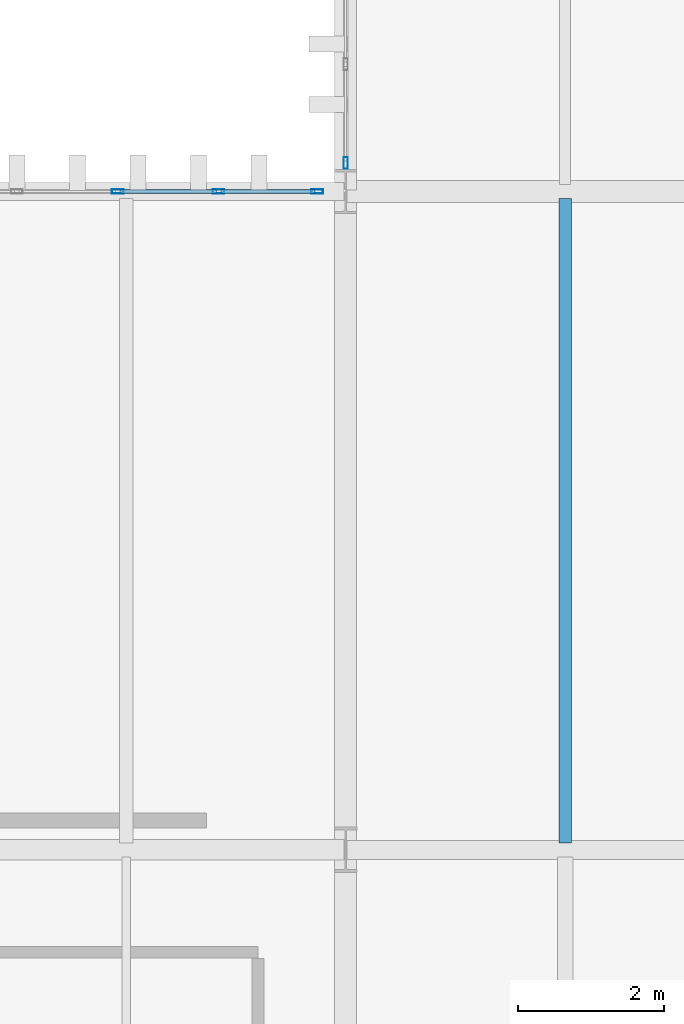
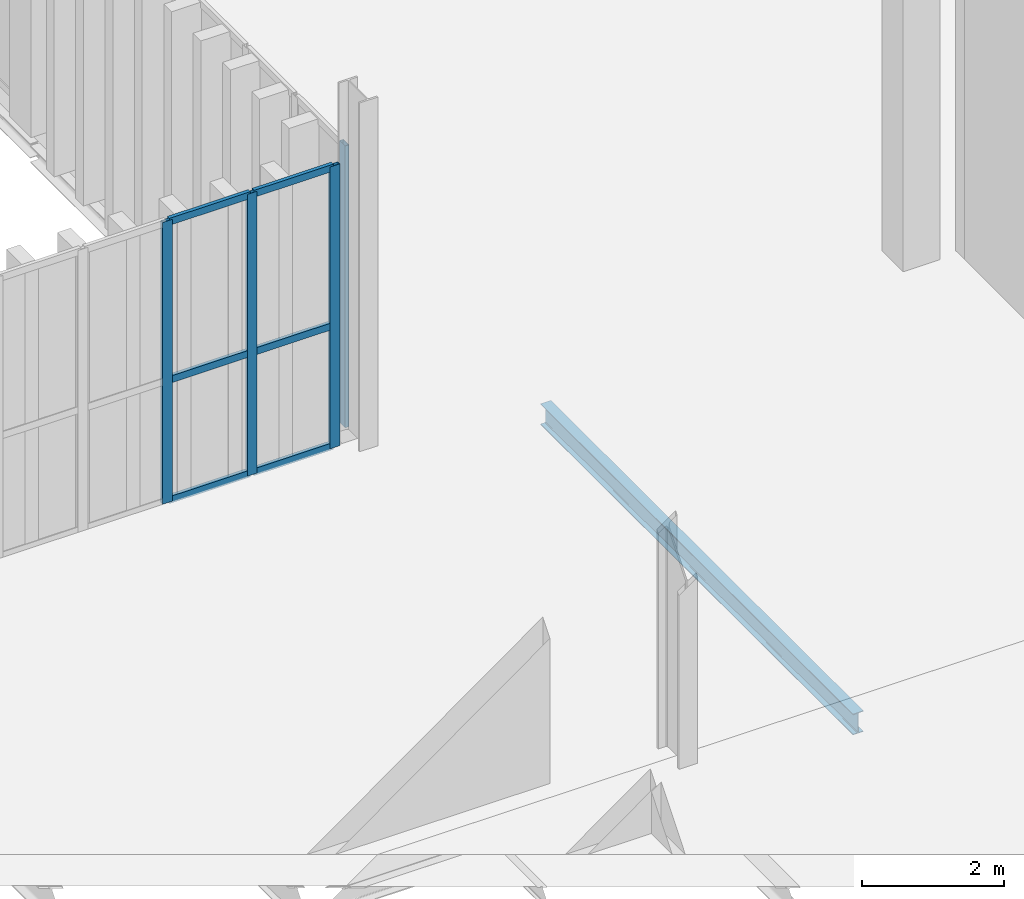
# One storey, part 127 of 237: 10 members, 1 beam, 2 elements without a shape of their own.
"""IFC4 building model written with IfcOpenShell, lengths in metres."""

from ifc_helpers import new_model, si_unit, direction, frame, origin, origin_2d, place, context, subcontext, project, spatial, hollow_rectangle, i_section, extrude, material, layer, layer_set, material_profile, profile_set, type_object, element, aggregate, save


model = new_model("IFC4")

# Units and contexts
model_context = context("Model", 3, precision=1e-05, world=origin(), true_north=direction((0.0, 1.0)))
body_context = subcontext(model_context, "Body", "Model", "MODEL_VIEW")
ifc_project = project(units=[si_unit("LENGTHUNIT", "METRE"), si_unit("AREAUNIT", "SQUARE_METRE"), si_unit("VOLUMEUNIT", "CUBIC_METRE"), si_unit("PLANEANGLEUNIT", "RADIAN"), si_unit("MASSUNIT", "GRAM", prefix="KILO")], contexts=[model_context])

# Site, building, storey
site_placement = place(None, origin())
site = spatial("IfcSite", under=ifc_project, at=site_placement, CompositionType="ELEMENT")
building_placement = place(site_placement, origin())
building = spatial("IfcBuilding", under=site, at=building_placement, Name="Barlavento Convention Centre", CompositionType="ELEMENT")
storey_placement = place(building_placement, frame((0.0, 0.0, 12.0)))
storey = spatial("IfcBuildingStorey", under=building, at=storey_placement, Name="L02", CompositionType="ELEMENT", Elevation=12.0)

# Curtain wall, members
ifc_material_1 = material(Name="Powder-coated aluminium and Low-E glass", Category="aluminium")
ifc_layer = layer(ifc_material_1, 0.195068359375)
ifc_layer_set = layer_set([ifc_layer], Name="ARC-CW-PATIO-A")
curtain_wall_type = type_object("IfcCurtainWallType", Name="ARC-CW-PATIO-A", PredefinedType="NOTDEFINED", material=ifc_layer_set)
curtain_wall_1_placement = place(storey_placement, origin())
curtain_wall_1 = element("IfcCurtainWall", 1, at=curtain_wall_1_placement, inside=storey, type_object=curtain_wall_type, Name="L02 unitised curtain wall CW11", PredefinedType="NOTDEFINED")
ifc_material_2 = material(Name="Powder-coated aluminium", Category="aluminium")
ifc_material_profile_1 = material_profile(ifc_material_2, hollow_rectangle(XDim=0.06005859375, YDim=0.159912109375, WallThickness=0.00390625, at=origin_2d()), Name="AL-MULL 60x160x4")
ifc_profile_set_1 = profile_set([ifc_material_profile_1], Name="Powder-coated aluminium")
member_type_1 = type_object("IfcMemberType", Name="ARC-CWM-60X160", PredefinedType="MULLION", material=ifc_profile_set_1)
member_1_placement = place(storey_placement, frame((167.88330078125, 63.0, 0.0), z_axis=(0.0, 0.0, 1.0), x_axis=(0.0, 1.0, 0.0)))
member_1 = element("IfcMember", 2, at=member_1_placement, type_object=member_type_1, Name="CW11 mullion 5", PredefinedType="MULLION", context=body_context, shape_type="SweptSolid", body=[
    extrude(hollow_rectangle(XDim=0.06005859375, YDim=0.159912109375, WallThickness=0.00390625, at=origin_2d()), origin(), (0.0, 0.0, 1.0), 4.85009765625),
])
member_2_placement = place(storey_placement, frame((169.26171875, 63.0, 0.0), z_axis=(0.0, 0.0, 1.0), x_axis=(0.0, 1.0, 0.0)))
member_2 = element("IfcMember", 3, at=member_2_placement, type_object=member_type_1, Name="CW11 mullion 6", PredefinedType="MULLION", context=body_context, shape_type="SweptSolid", body=[
    extrude(hollow_rectangle(XDim=0.06005859375, YDim=0.159912109375, WallThickness=0.00390625, at=origin_2d()), origin(), (0.0, 0.0, 1.0), 4.85009765625),
])
member_3_placement = place(storey_placement, frame((170.610107421875, 63.0, 0.0), z_axis=(0.0, 0.0, 1.0), x_axis=(0.0, 1.0, 0.0)))
member_3 = element("IfcMember", 4, at=member_3_placement, type_object=member_type_1, Name="CW11 mullion 7", PredefinedType="MULLION", context=body_context, shape_type="SweptSolid", body=[
    extrude(hollow_rectangle(XDim=0.06005859375, YDim=0.159912109375, WallThickness=0.00390625, at=origin_2d()), origin(), (0.0, 0.0, 1.0), 4.85009765625),
])

# Curtain wall, member
curtain_wall_2_placement = place(storey_placement, origin())
curtain_wall_2 = element("IfcCurtainWall", 5, at=curtain_wall_2_placement, inside=storey, type_object=curtain_wall_type, Name="L02 unitised curtain wall CW11", PredefinedType="NOTDEFINED")
member_4_placement = place(storey_placement, frame((171.0, 63.389892578125, 0.0), z_axis=(0.0, 0.0, 1.0), x_axis=(-1.0, 0.0, 0.0)))
member_4 = element("IfcMember", 6, at=member_4_placement, type_object=member_type_1, Name="CW11 mullion 1", PredefinedType="MULLION", context=body_context, shape_type="SweptSolid", body=[
    extrude(hollow_rectangle(XDim=0.06005859375, YDim=0.159912109375, WallThickness=0.00390625, at=origin_2d()), origin(), (0.0, 0.0, 1.0), 4.85009765625),
])
aggregate(curtain_wall_2, [member_4])

# Member
ifc_material_profile_2 = material_profile(ifc_material_2, hollow_rectangle(XDim=0.06005859375, YDim=0.1201171875, WallThickness=0.00390625, at=origin_2d()), Name="AL-TRAN 60x120x4")
ifc_profile_set_2 = profile_set([ifc_material_profile_2], Name="Powder-coated aluminium")
member_type_2 = type_object("IfcMemberType", Name="ARC-CWT-60X120", PredefinedType="USERDEFINED", material=ifc_profile_set_2)
member_5_placement = place(storey_placement, frame((167.913330078125, 63.0, 0.030029296875), z_axis=(1.0, 0.0, 0.0), x_axis=(0.0, 1.0, 0.0)))
member_5 = element("IfcMember", 7, at=member_5_placement, type_object=member_type_2, Name="CW11 transom 5.1", ObjectType="TRANSOM", PredefinedType="USERDEFINED", context=body_context, shape_type="SweptSolid", body=[
    extrude(hollow_rectangle(XDim=0.06005859375, YDim=0.1201171875, WallThickness=0.00390625, at=origin_2d()), origin(), (0.0, 0.0, 1.0), 1.318359375),
])

member_6_placement = place(storey_placement, frame((167.913330078125, 63.0, 2.10009765625), z_axis=(1.0, 0.0, 0.0), x_axis=(0.0, 1.0, 0.0)))
member_6 = element("IfcMember", 8, at=member_6_placement, type_object=member_type_2, Name="CW11 transom 5.2", ObjectType="TRANSOM", PredefinedType="USERDEFINED", context=body_context, shape_type="SweptSolid", body=[
    extrude(hollow_rectangle(XDim=0.06005859375, YDim=0.1201171875, WallThickness=0.00390625, at=origin_2d()), origin(), (0.0, 0.0, 1.0), 1.318359375),
])

member_7_placement = place(storey_placement, frame((167.913330078125, 63.0, 4.820068359375), z_axis=(1.0, 0.0, 0.0), x_axis=(0.0, 1.0, 0.0)))
member_7 = element("IfcMember", 9, at=member_7_placement, type_object=member_type_2, Name="CW11 transom 5.3", ObjectType="TRANSOM", PredefinedType="USERDEFINED", context=body_context, shape_type="SweptSolid", body=[
    extrude(hollow_rectangle(XDim=0.06005859375, YDim=0.1201171875, WallThickness=0.00390625, at=origin_2d()), origin(), (0.0, 0.0, 1.0), 1.318359375),
])

member_8_placement = place(storey_placement, frame((169.291748046875, 63.0, 0.030029296875), z_axis=(1.0, 0.0, 0.0), x_axis=(0.0, 1.0, 0.0)))
member_8 = element("IfcMember", 10, at=member_8_placement, type_object=member_type_2, Name="CW11 transom 6.1", ObjectType="TRANSOM", PredefinedType="USERDEFINED", context=body_context, shape_type="SweptSolid", body=[
    extrude(hollow_rectangle(XDim=0.06005859375, YDim=0.1201171875, WallThickness=0.00390625, at=origin_2d()), origin(), (0.0, 0.0, 1.0), 1.288330078125),
])

member_9_placement = place(storey_placement, frame((169.291748046875, 63.0, 2.10009765625), z_axis=(1.0, 0.0, 0.0), x_axis=(0.0, 1.0, 0.0)))
member_9 = element("IfcMember", 11, at=member_9_placement, type_object=member_type_2, Name="CW11 transom 6.2", ObjectType="TRANSOM", PredefinedType="USERDEFINED", context=body_context, shape_type="SweptSolid", body=[
    extrude(hollow_rectangle(XDim=0.06005859375, YDim=0.1201171875, WallThickness=0.00390625, at=origin_2d()), origin(), (0.0, 0.0, 1.0), 1.288330078125),
])

member_10_placement = place(storey_placement, frame((169.291748046875, 63.0, 4.820068359375), z_axis=(1.0, 0.0, 0.0), x_axis=(0.0, 1.0, 0.0)))
member_10 = element("IfcMember", 12, at=member_10_placement, type_object=member_type_2, Name="CW11 transom 6.3", ObjectType="TRANSOM", PredefinedType="USERDEFINED", context=body_context, shape_type="SweptSolid", body=[
    extrude(hollow_rectangle(XDim=0.06005859375, YDim=0.1201171875, WallThickness=0.00390625, at=origin_2d()), origin(), (0.0, 0.0, 1.0), 1.288330078125),
])

aggregate(curtain_wall_1, [member_1, member_2, member_3, member_5, member_6, member_7, member_8, member_9, member_10])

# Beam
ifc_material_3 = material(Name="Steel S355", Category="steel")
ifc_material_profile_3 = material_profile(ifc_material_3, i_section(OverallWidth=0.169921875, OverallDepth=0.360107421875, WebThickness=0.008056640625, FlangeThickness=0.0126953125, FilletRadius=0.01806640625, at=origin_2d()), Name="IPE 360")
ifc_profile_set_3 = profile_set([ifc_material_profile_3], Name="Steel S355")
beam_type = type_object("IfcBeamType", Name="STR-BM-JST-IPE360", PredefinedType="JOIST", material=ifc_profile_set_3)
beam_placement = place(storey_placement, frame((174.0, 54.094970703125, -0.550048828125), z_axis=(0.0, 1.0, 0.0), x_axis=(-1.0, 0.0, 0.0)))
element("IfcBeam", 13, at=beam_placement, inside=storey, type_object=beam_type, Name="L02 composite floor joist SJ05", PredefinedType="JOIST", context=body_context, shape_type="SweptSolid", body=[
    extrude(i_section(OverallWidth=0.169921875, OverallDepth=0.360107421875, WebThickness=0.008056640625, FlangeThickness=0.0126953125, FilletRadius=0.01806640625, at=origin_2d()), origin(), (0.0, 0.0, 1.0), 8.81005859375),
])

save(model, "model.ifc")
